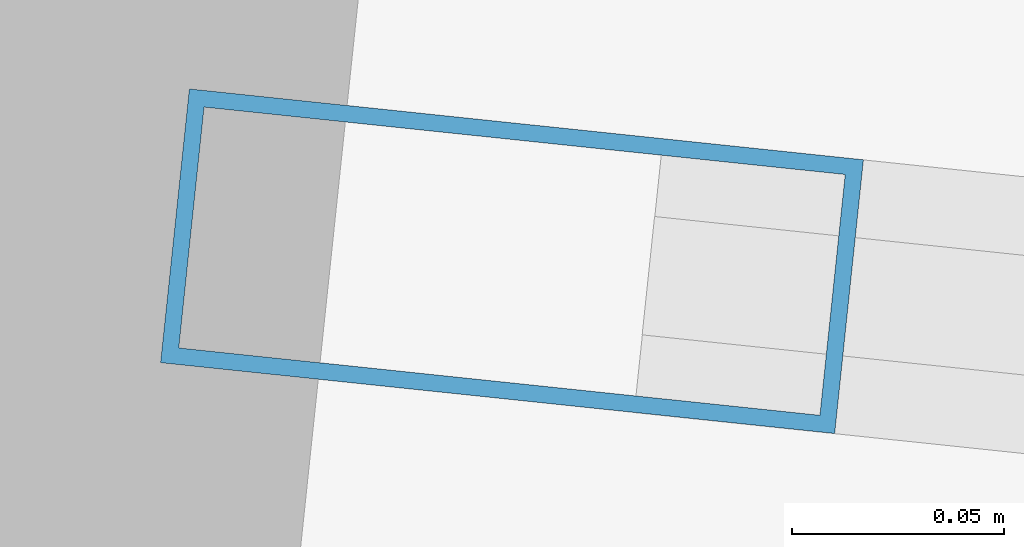
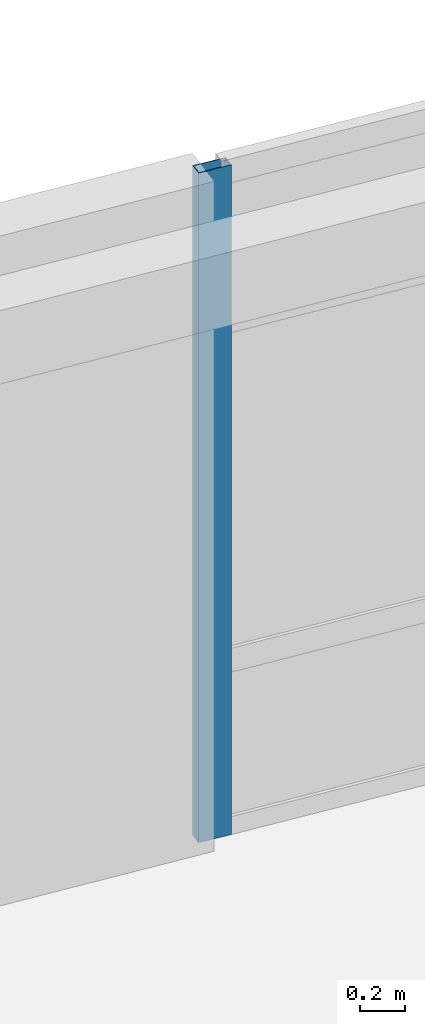
# One storey, part 66 of 150: 1 member, 1 element without a shape of its own.
"""IFC4 building model written with IfcOpenShell, lengths in metres."""

from ifc_helpers import new_model, si_unit, direction, frame, origin, origin_2d, place, context, subcontext, project, spatial, hollow_rectangle, extrude, material, material_profile, profile_set, type_object, element, aggregate, save


model = new_model("IFC4")

# Units and contexts
model_context = context("Model", 3, precision=1e-05, world=origin(), true_north=direction((0.0, 1.0)))
body_context = subcontext(model_context, "Body", "Model", "MODEL_VIEW")
ifc_project = project(units=[si_unit("LENGTHUNIT", "METRE"), si_unit("AREAUNIT", "SQUARE_METRE"), si_unit("VOLUMEUNIT", "CUBIC_METRE"), si_unit("PLANEANGLEUNIT", "RADIAN"), si_unit("MASSUNIT", "GRAM", prefix="KILO")], contexts=[model_context])

# Site, building, storey
site_placement = place(None, origin())
site = spatial("IfcSite", under=ifc_project, at=site_placement, CompositionType="ELEMENT")
building_placement = place(site_placement, origin())
building = spatial("IfcBuilding", under=site, at=building_placement, Name="Kestramere Prow Commons", CompositionType="ELEMENT")
storey_placement = place(building_placement, frame((0.0, 0.0, 4.5)))
storey = spatial("IfcBuildingStorey", under=building, at=storey_placement, Name="L01", CompositionType="ELEMENT", Elevation=4.5)

# Curtain wall, member
ifc_material_1 = material(Name="Anodised Aluminium and Low-E Glass", Category="aluminium")
curtain_wall_type = type_object("IfcCurtainWallType", Name="CW-02 Glazed Curtain Wall 2830x3650", PredefinedType="USERDEFINED", material=ifc_material_1)
curtain_wall_placement = place(storey_placement, origin())
curtain_wall = element("IfcCurtainWall", 1, at=curtain_wall_placement, inside=storey, type_object=curtain_wall_type, Name="Block B L01 Stairwell Vertical Glazing 4", ObjectType="GLAZED CURTAIN WALL", PredefinedType="USERDEFINED")
ifc_material_2 = material(Name="Anodised Aluminium 6063-T6", Category="aluminium")
ifc_material_profile = material_profile(ifc_material_2, hollow_rectangle(XDim=0.06494140625, YDim=0.159912109375, WallThickness=0.00390625, at=origin_2d()), Name="ALU-MUL 65x160")
ifc_profile_set = profile_set([ifc_material_profile], Name="Anodised Aluminium 6063-T6")
member_type = type_object("IfcMemberType", Name="CW-MUL-65x160", PredefinedType="MULLION", material=ifc_profile_set)
member_placement = place(storey_placement, frame((138.575439453125, 112.032470703125, 0.0), z_axis=(0.0, 0.0, 1.0), x_axis=(0.104528618845, 0.994521879016, 0.0)))
member = element("IfcMember", 2, at=member_placement, type_object=member_type, Name="CW-02 mullion 1", PredefinedType="MULLION", context=body_context, shape_type="SweptSolid", body=[
    extrude(hollow_rectangle(XDim=0.06494140625, YDim=0.159912109375, WallThickness=0.00390625, at=origin_2d()), origin(), (0.0, 0.0, 1.0), 3.64990234375),
])
aggregate(curtain_wall, [member])

save(model, "model.ifc")
